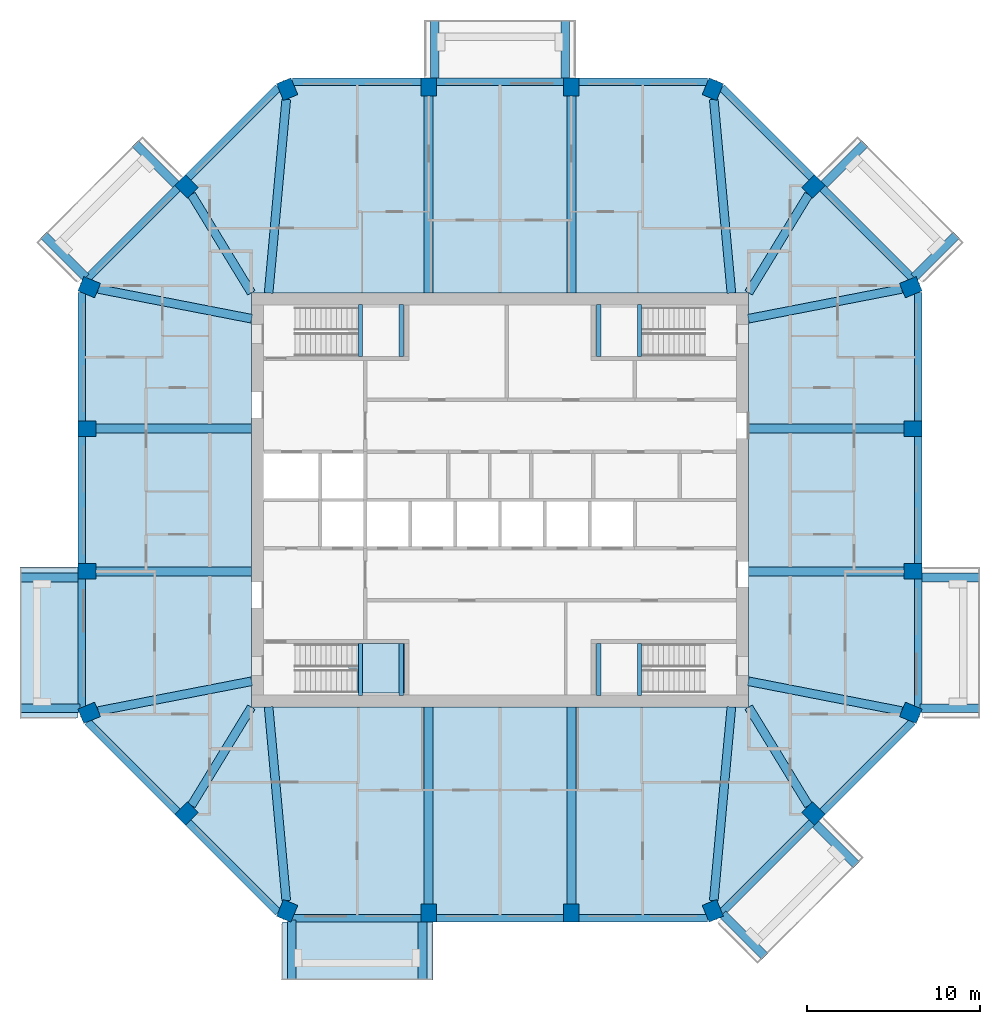
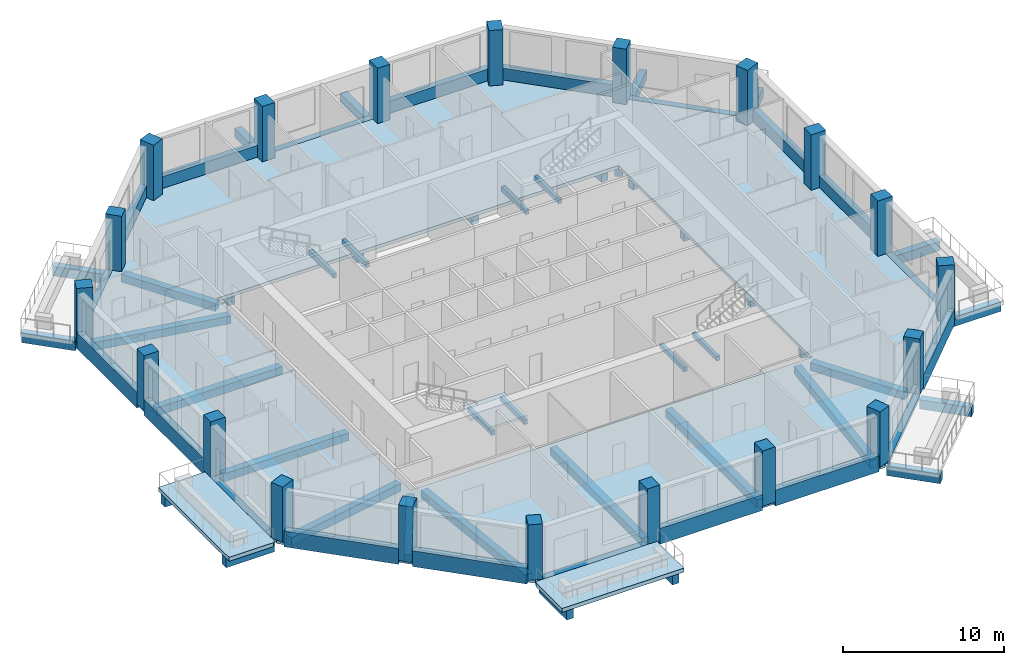
# One storey, part 1 of 10: 62 beams, 20 columns, 4 slabs, 1 element without a shape of its own.
"""IFC4 building model written with IfcOpenShell, lengths in metres."""

from ifc_helpers import new_model, si_unit, direction, frame, origin, origin_2d, place, context, subcontext, project, spatial, polyline, rectangle, outline, extrude, material, layer, layer_set, material_profile, profile_set, type_object, element, aggregate, save


model = new_model("IFC4")

# Units and contexts
model_context = context("Model", 3, precision=1e-05, world=origin(), true_north=direction((0.0, 1.0)))
body_context = subcontext(model_context, "Body", "Model", "MODEL_VIEW")
ifc_project = project(units=[si_unit("LENGTHUNIT", "METRE"), si_unit("AREAUNIT", "SQUARE_METRE"), si_unit("VOLUMEUNIT", "CUBIC_METRE"), si_unit("PLANEANGLEUNIT", "RADIAN"), si_unit("MASSUNIT", "GRAM", prefix="KILO")], contexts=[model_context])

# Site, building, storey
site_placement = place(None, origin())
site = spatial("IfcSite", under=ifc_project, at=site_placement, CompositionType="ELEMENT")
building_placement = place(site_placement, origin())
building = spatial("IfcBuilding", under=site, at=building_placement, Name="Msitu Wima Residences", CompositionType="ELEMENT")
storey_placement = place(building_placement, frame((0.0, 0.0, 191.699951171875)))
storey = spatial("IfcBuildingStorey", under=building, at=storey_placement, Name="L44", CompositionType="ELEMENT", Elevation=191.699951171875)

# Columns
ifc_material_1 = material(Name="Concrete C60/75", Category="concrete")
ifc_material_profile_1 = material_profile(ifc_material_1, rectangle(XDim=0.89990234375, YDim=1.050048828125, at=origin_2d()), Name="RC 900x1050")
ifc_profile_set_1 = profile_set([ifc_material_profile_1], Name="Concrete C60/75")
column_type = type_object("IfcColumnType", Name="Column RC 900x1050 Concrete C60/75", PredefinedType="COLUMN", material=ifc_profile_set_1)
for number, where, z_axis, x_axis, name in (
    (1, (23.792724609375, -12.325927734375, 0.0), (0.0, 0.0, 1.0), (0.382683496864, 0.923879505795, 0.0), "Column L44 C-E0"),
    (2, (23.925048828125, -4.13720703125, 0.0), (0.0, 0.0, 1.0), (0.0, 1.0, 0.0), "Column L44 C-E1"),
    (3, (23.925048828125, 4.13720703125, 0.0), (0.0, 0.0, 1.0), (0.0, 1.0, 0.0), "Column L44 C-E2"),
    (4, (23.792724609375, 12.325927734375, 0.0), (0.0, 0.0, 1.0), (-0.382683496864, 0.923879505795, 0.0), "Column L44 C-NE0"),
    (5, (18.15283203125, 18.15283203125, 0.0), (0.0, 0.0, 1.0), (-0.707106781187, 0.707106781187, 0.0), "Column L44 C-NE1"),
    (6, (12.325927734375, 23.792724609375, 0.0), (0.0, 0.0, 1.0), (-0.923879505795, 0.382683496864, 0.0), "Column L44 C-N0"),
    (7, (4.13720703125, 23.925048828125, 0.0), (0.0, 0.0, 1.0), (-1.0, 0.0, 0.0), "Column L44 C-N1"),
    (8, (-4.13720703125, 23.925048828125, 0.0), (0.0, 0.0, 1.0), (-1.0, 0.0, 0.0), "Column L44 C-N2"),
    (9, (-12.325927734375, 23.792724609375, 0.0), (0.0, 0.0, 1.0), (-0.923879505795, -0.382683496864, 0.0), "Column L44 C-NW0"),
    (10, (-18.15283203125, 18.15283203125, 0.0), (0.0, 0.0, 1.0), (-0.707106781187, -0.707106781187, 0.0), "Column L44 C-NW1"),
    (11, (-23.792724609375, 12.325927734375, 0.0), (0.0, 0.0, 1.0), (-0.382683496864, -0.923879505795, 0.0), "Column L44 C-W0"),
    (12, (-23.925048828125, 4.13720703125, 0.0), (0.0, 0.0, 1.0), (0.0, -1.0, 0.0), "Column L44 C-W1"),
    (13, (-23.925048828125, -4.13720703125, 0.0), (0.0, 0.0, 1.0), (0.0, -1.0, 0.0), "Column L44 C-W2"),
    (14, (-23.792724609375, -12.325927734375, 0.0), (0.0, 0.0, 1.0), (0.382683496864, -0.923879505795, 0.0), "Column L44 C-SW0"),
    (15, (-18.15283203125, -18.15283203125, 0.0), (0.0, 0.0, 1.0), (0.707106781187, -0.707106781187, 0.0), "Column L44 C-SW1"),
    (16, (-12.325927734375, -23.792724609375, 0.0), (0.0, 0.0, 1.0), (0.923879505795, -0.382683496864, 0.0), "Column L44 C-S0"),
    (17, (-4.13720703125, -23.925048828125, 0.0), (0.0, 0.0, 1.0), (1.0, 0.0, 0.0), "Column L44 C-S1"),
    (18, (4.13720703125, -23.925048828125, 0.0), (0.0, 0.0, 1.0), (1.0, 0.0, 0.0), "Column L44 C-S2"),
    (19, (12.325927734375, -23.792724609375, 0.0), (0.0, 0.0, 1.0), (0.923879505795, 0.382683496864, 0.0), "Column L44 C-SE0"),
    (20, (18.15283203125, -18.15283203125, 0.0), (0.0, 0.0, 1.0), (0.707106781187, 0.707106781187, 0.0), "Column L44 C-SE1"),
):
    element("IfcColumn", number, at=place(storey_placement, frame(where, z_axis=z_axis, x_axis=x_axis)), inside=storey, type_object=column_type, Name=name, PredefinedType="COLUMN", context=body_context, shape_type="SweptSolid", body=[
        extrude(rectangle(XDim=0.89990234375, YDim=1.050048828125, at=origin_2d()), origin(), (0.0, 0.0, 1.0), 4.199951171875),
    ])

# Beams
ifc_material_2 = material(Name="Concrete C50/60", Category="concrete")
ifc_material_profile_2 = material_profile(ifc_material_2, rectangle(XDim=0.5, YDim=0.60009765625, at=origin_2d()), Name="RC 500x600")
ifc_profile_set_2 = profile_set([ifc_material_profile_2], Name="Concrete C50/60")
beam_type_1 = type_object("IfcBeamType", Name="Beam RC 500x600 Concrete C50/60", PredefinedType="BEAM", material=ifc_profile_set_2)
beam_1_placement = place(storey_placement, frame((23.266845703125, -12.2236328125, -0.550048828125), z_axis=(-0.981627328559, 0.190808248841, 0.0), x_axis=(-0.190808248841, -0.981627328559, 0.0)))
element("IfcBeam", 21, at=beam_1_placement, inside=storey, type_object=beam_type_1, Name="Beam L44 C-E0", PredefinedType="BEAM", context=body_context, shape_type="SweptSolid", body=[
    extrude(rectangle(XDim=0.5, YDim=0.60009765625, at=origin_2d()), origin(), (0.0, 0.0, 1.0), 9.044921875),
])
for number, where, z_axis, x_axis, name in (
    (22, (23.39990234375, -4.13720703125, -0.550048828125), (-1.0, 0.0, 0.0), (0.0, -1.0, 0.0), "Beam L44 C-E1"),
    (23, (23.39990234375, 4.13720703125, -0.550048828125), (-1.0, 0.0, 0.0), (0.0, -1.0, 0.0), "Beam L44 C-E2"),
):
    element("IfcBeam", number, at=place(storey_placement, frame(where, z_axis=z_axis, x_axis=x_axis)), inside=storey, type_object=beam_type_1, Name=name, PredefinedType="BEAM", context=body_context, shape_type="SweptSolid", body=[
        extrude(rectangle(XDim=0.5, YDim=0.60009765625, at=origin_2d()), origin(), (0.0, 0.0, 1.0), 9.0),
    ])
beam_2_placement = place(storey_placement, frame((23.266845703125, 12.2236328125, -0.550048828125), z_axis=(-0.981627328559, -0.190808248841, 0.0), x_axis=(0.190808248841, -0.981627328559, 0.0)))
element("IfcBeam", 24, at=beam_2_placement, inside=storey, type_object=beam_type_1, Name="Beam L44 C-NE0", PredefinedType="BEAM", context=body_context, shape_type="SweptSolid", body=[
    extrude(rectangle(XDim=0.5, YDim=0.60009765625, at=origin_2d()), origin(), (0.0, 0.0, 1.0), 9.044921875),
])
beam_3_placement = place(storey_placement, frame((17.87158203125, 17.691650390625, -0.550048828125), z_axis=(-0.520734381113, -0.853718750132, 0.0), x_axis=(0.853718750132, -0.520734381113, 0.0)))
element("IfcBeam", 25, at=beam_3_placement, inside=storey, type_object=beam_type_1, Name="Beam L44 C-NE1", PredefinedType="BEAM", context=body_context, shape_type="SweptSolid", body=[
    extrude(rectangle(XDim=0.5, YDim=0.60009765625, at=origin_2d()), origin(), (0.0, 0.0, 1.0), 6.6669921875),
])
beam_4_placement = place(storey_placement, frame((12.379638671875, 23.2021484375, -0.550048828125), z_axis=(0.090713636077, -0.995877018627, 0.0), x_axis=(0.995877018627, 0.090713636077, 0.0)))
element("IfcBeam", 26, at=beam_4_placement, inside=storey, type_object=beam_type_1, Name="Beam L44 C-N0", PredefinedType="BEAM", context=body_context, shape_type="SweptSolid", body=[
    extrude(rectangle(XDim=0.5, YDim=0.60009765625, at=origin_2d()), origin(), (0.0, 0.0, 1.0), 11.260498046875),
])
for number, where, z_axis, x_axis, name in (
    (27, (4.13720703125, 23.39990234375, -0.550048828125), (0.0, -1.0, 0.0), (1.0, 0.0, 0.0), "Beam L44 C-N1"),
    (28, (-4.13720703125, 23.39990234375, -0.550048828125), (0.0, -1.0, 0.0), (1.0, 0.0, 0.0), "Beam L44 C-N2"),
):
    element("IfcBeam", number, at=place(storey_placement, frame(where, z_axis=z_axis, x_axis=x_axis)), inside=storey, type_object=beam_type_1, Name=name, PredefinedType="BEAM", context=body_context, shape_type="SweptSolid", body=[
        extrude(rectangle(XDim=0.5, YDim=0.60009765625, at=origin_2d()), origin(), (0.0, 0.0, 1.0), 11.39990234375),
    ])
beam_5_placement = place(storey_placement, frame((-12.379638671875, 23.2021484375, -0.550048828125), z_axis=(-0.090713636077, -0.995877018627, 0.0), x_axis=(0.995877018627, -0.090713636077, 0.0)))
element("IfcBeam", 29, at=beam_5_placement, inside=storey, type_object=beam_type_1, Name="Beam L44 C-NW0", PredefinedType="BEAM", context=body_context, shape_type="SweptSolid", body=[
    extrude(rectangle(XDim=0.5, YDim=0.60009765625, at=origin_2d()), origin(), (0.0, 0.0, 1.0), 11.260498046875),
])
beam_6_placement = place(storey_placement, frame((-17.87158203125, 17.691650390625, -0.550048828125), z_axis=(0.520734381113, -0.853718750132, 0.0), x_axis=(0.853718750132, 0.520734381113, 0.0)))
element("IfcBeam", 30, at=beam_6_placement, inside=storey, type_object=beam_type_1, Name="Beam L44 C-NW1", PredefinedType="BEAM", context=body_context, shape_type="SweptSolid", body=[
    extrude(rectangle(XDim=0.5, YDim=0.60009765625, at=origin_2d()), origin(), (0.0, 0.0, 1.0), 6.6669921875),
])
beam_7_placement = place(storey_placement, frame((-23.266845703125, 12.2236328125, -0.550048828125), z_axis=(0.981627328559, -0.190808248841, 0.0), x_axis=(0.190808248841, 0.981627328559, 0.0)))
element("IfcBeam", 31, at=beam_7_placement, inside=storey, type_object=beam_type_1, Name="Beam L44 C-W0", PredefinedType="BEAM", context=body_context, shape_type="SweptSolid", body=[
    extrude(rectangle(XDim=0.5, YDim=0.60009765625, at=origin_2d()), origin(), (0.0, 0.0, 1.0), 9.044921875),
])
for number, where, z_axis, x_axis, name in (
    (32, (-23.39990234375, 4.13720703125, -0.550048828125), (1.0, 0.0, 0.0), (0.0, 1.0, 0.0), "Beam L44 C-W1"),
    (33, (-23.39990234375, -4.13720703125, -0.550048828125), (1.0, 0.0, 0.0), (0.0, 1.0, 0.0), "Beam L44 C-W2"),
):
    element("IfcBeam", number, at=place(storey_placement, frame(where, z_axis=z_axis, x_axis=x_axis)), inside=storey, type_object=beam_type_1, Name=name, PredefinedType="BEAM", context=body_context, shape_type="SweptSolid", body=[
        extrude(rectangle(XDim=0.5, YDim=0.60009765625, at=origin_2d()), origin(), (0.0, 0.0, 1.0), 9.0),
    ])
beam_8_placement = place(storey_placement, frame((-23.266845703125, -12.2236328125, -0.550048828125), z_axis=(0.981627328559, 0.190808248841, 0.0), x_axis=(-0.190808248841, 0.981627328559, 0.0)))
element("IfcBeam", 34, at=beam_8_placement, inside=storey, type_object=beam_type_1, Name="Beam L44 C-SW0", PredefinedType="BEAM", context=body_context, shape_type="SweptSolid", body=[
    extrude(rectangle(XDim=0.5, YDim=0.60009765625, at=origin_2d()), origin(), (0.0, 0.0, 1.0), 9.044921875),
])
beam_9_placement = place(storey_placement, frame((-17.87158203125, -17.691650390625, -0.550048828125), z_axis=(0.520734381113, 0.853718750132, 0.0), x_axis=(-0.853718750132, 0.520734381113, 0.0)))
element("IfcBeam", 35, at=beam_9_placement, inside=storey, type_object=beam_type_1, Name="Beam L44 C-SW1", PredefinedType="BEAM", context=body_context, shape_type="SweptSolid", body=[
    extrude(rectangle(XDim=0.5, YDim=0.60009765625, at=origin_2d()), origin(), (0.0, 0.0, 1.0), 6.6669921875),
])
beam_10_placement = place(storey_placement, frame((-12.379638671875, -23.2021484375, -0.550048828125), z_axis=(-0.090713636077, 0.995877018627, 0.0), x_axis=(-0.995877018627, -0.090713636077, 0.0)))
element("IfcBeam", 36, at=beam_10_placement, inside=storey, type_object=beam_type_1, Name="Beam L44 C-S0", PredefinedType="BEAM", context=body_context, shape_type="SweptSolid", body=[
    extrude(rectangle(XDim=0.5, YDim=0.60009765625, at=origin_2d()), origin(), (0.0, 0.0, 1.0), 11.260498046875),
])
for number, where, z_axis, x_axis, name in (
    (37, (-4.13720703125, -23.39990234375, -0.550048828125), (0.0, 1.0, 0.0), (-1.0, 0.0, 0.0), "Beam L44 C-S1"),
    (38, (4.13720703125, -23.39990234375, -0.550048828125), (0.0, 1.0, 0.0), (-1.0, 0.0, 0.0), "Beam L44 C-S2"),
):
    element("IfcBeam", number, at=place(storey_placement, frame(where, z_axis=z_axis, x_axis=x_axis)), inside=storey, type_object=beam_type_1, Name=name, PredefinedType="BEAM", context=body_context, shape_type="SweptSolid", body=[
        extrude(rectangle(XDim=0.5, YDim=0.60009765625, at=origin_2d()), origin(), (0.0, 0.0, 1.0), 11.39990234375),
    ])
beam_11_placement = place(storey_placement, frame((12.379638671875, -23.2021484375, -0.550048828125), z_axis=(0.090713636077, 0.995877018627, 0.0), x_axis=(-0.995877018627, 0.090713636077, 0.0)))
element("IfcBeam", 39, at=beam_11_placement, inside=storey, type_object=beam_type_1, Name="Beam L44 C-SE0", PredefinedType="BEAM", context=body_context, shape_type="SweptSolid", body=[
    extrude(rectangle(XDim=0.5, YDim=0.60009765625, at=origin_2d()), origin(), (0.0, 0.0, 1.0), 11.260498046875),
])
beam_12_placement = place(storey_placement, frame((17.87158203125, -17.691650390625, -0.550048828125), z_axis=(-0.520734381113, 0.853718750132, 0.0), x_axis=(-0.853718750132, -0.520734381113, 0.0)))
element("IfcBeam", 40, at=beam_12_placement, inside=storey, type_object=beam_type_1, Name="Beam L44 C-SE1", PredefinedType="BEAM", context=body_context, shape_type="SweptSolid", body=[
    extrude(rectangle(XDim=0.5, YDim=0.60009765625, at=origin_2d()), origin(), (0.0, 0.0, 1.0), 6.6669921875),
])
ifc_material_profile_3 = material_profile(ifc_material_2, rectangle(XDim=0.5, YDim=0.699951171875, at=origin_2d()), Name="RC 500x700")
ifc_profile_set_3 = profile_set([ifc_material_profile_3], Name="Concrete C50/60")
beam_type_2 = type_object("IfcBeamType", Name="Cantilever beam RC 500x700 Concrete C50/60", PredefinedType="BEAM", material=ifc_profile_set_3)
beam_13_placement = place(storey_placement, frame((24.330810546875, -12.061767578125, -0.64990234375), z_axis=(1.0, 0.0, 0.0), x_axis=(0.0, 1.0, 0.0)))
element("IfcBeam", 41, at=beam_13_placement, inside=storey, type_object=beam_type_2, Name="Cantilever beam L44 BA-E0 A", PredefinedType="BEAM", context=body_context, shape_type="SweptSolid", body=[
    extrude(rectangle(XDim=0.5, YDim=0.699951171875, at=origin_2d()), origin(), (0.0, 0.0, 1.0), 3.46923828125),
])
beam_14_placement = place(storey_placement, frame((24.449951171875, -4.4873046875, -0.64990234375), z_axis=(1.0, 0.0, 0.0), x_axis=(0.0, 1.0, 0.0)))
element("IfcBeam", 42, at=beam_14_placement, inside=storey, type_object=beam_type_2, Name="Cantilever beam L44 BA-E0 B", PredefinedType="BEAM", context=body_context, shape_type="SweptSolid", body=[
    extrude(rectangle(XDim=0.5, YDim=0.699951171875, at=origin_2d()), origin(), (0.0, 0.0, 1.0), 3.35009765625),
])
beam_15_placement = place(storey_placement, frame((23.986572265625, 12.893310546875, -0.64990234375), z_axis=(0.707106781187, 0.707106781187, 0.0), x_axis=(-0.707106781187, 0.707106781187, 0.0)))
element("IfcBeam", 43, at=beam_15_placement, inside=storey, type_object=beam_type_2, Name="Cantilever beam L44 BA-NE0 A", PredefinedType="BEAM", context=body_context, shape_type="SweptSolid", body=[
    extrude(rectangle(XDim=0.5, YDim=0.699951171875, at=origin_2d()), origin(), (0.0, 0.0, 1.0), 3.468994140625),
])
for number, where, z_axis, x_axis, name in (
    (44, (18.771484375, 18.276611328125, -0.64990234375), (0.707106781187, 0.707106781187, 0.0), (-0.707106781187, 0.707106781187, 0.0), "Cantilever beam L44 BA-NE0 B"),
    (45, (3.787353515625, 24.449951171875, -0.64990234375), (0.0, 1.0, 0.0), (-1.0, 0.0, 0.0), "Cantilever beam L44 BA-N1 A"),
    (46, (-3.787353515625, 24.449951171875, -0.64990234375), (0.0, 1.0, 0.0), (-1.0, 0.0, 0.0), "Cantilever beam L44 BA-N1 B"),
    (47, (-18.771484375, 18.276611328125, -0.64990234375), (-0.707106781187, 0.707106781187, 0.0), (-0.707106781187, -0.707106781187, 0.0), "Cantilever beam L44 BA-NW1 A"),
):
    element("IfcBeam", number, at=place(storey_placement, frame(where, z_axis=z_axis, x_axis=x_axis)), inside=storey, type_object=beam_type_2, Name=name, PredefinedType="BEAM", context=body_context, shape_type="SweptSolid", body=[
        extrude(rectangle(XDim=0.5, YDim=0.699951171875, at=origin_2d()), origin(), (0.0, 0.0, 1.0), 3.35009765625),
    ])
beam_16_placement = place(storey_placement, frame((-23.986572265625, 12.893310546875, -0.64990234375), z_axis=(-0.707106781187, 0.707106781187, 0.0), x_axis=(-0.707106781187, -0.707106781187, 0.0)))
element("IfcBeam", 48, at=beam_16_placement, inside=storey, type_object=beam_type_2, Name="Cantilever beam L44 BA-NW1 B", PredefinedType="BEAM", context=body_context, shape_type="SweptSolid", body=[
    extrude(rectangle(XDim=0.5, YDim=0.699951171875, at=origin_2d()), origin(), (0.0, 0.0, 1.0), 3.468994140625),
])
beam_17_placement = place(storey_placement, frame((-24.449951171875, -4.4873046875, -0.64990234375), z_axis=(-1.0, 0.0, 0.0), x_axis=(0.0, -1.0, 0.0)))
element("IfcBeam", 49, at=beam_17_placement, inside=storey, type_object=beam_type_2, Name="Cantilever beam L44 BA-W2 A", PredefinedType="BEAM", context=body_context, shape_type="SweptSolid", body=[
    extrude(rectangle(XDim=0.5, YDim=0.699951171875, at=origin_2d()), origin(), (0.0, 0.0, 1.0), 3.35009765625),
])
for number, where, z_axis, x_axis, name in (
    (50, (-24.330810546875, -12.061767578125, -0.64990234375), (-1.0, 0.0, 0.0), (0.0, -1.0, 0.0), "Cantilever beam L44 BA-W2 B"),
    (51, (-12.061767578125, -24.330810546875, -0.64990234375), (0.0, -1.0, 0.0), (1.0, 0.0, 0.0), "Cantilever beam L44 BA-S0 A"),
):
    element("IfcBeam", number, at=place(storey_placement, frame(where, z_axis=z_axis, x_axis=x_axis)), inside=storey, type_object=beam_type_2, Name=name, PredefinedType="BEAM", context=body_context, shape_type="SweptSolid", body=[
        extrude(rectangle(XDim=0.5, YDim=0.699951171875, at=origin_2d()), origin(), (0.0, 0.0, 1.0), 3.46923828125),
    ])
beam_18_placement = place(storey_placement, frame((-4.4873046875, -24.449951171875, -0.64990234375), z_axis=(0.0, -1.0, 0.0), x_axis=(1.0, 0.0, 0.0)))
element("IfcBeam", 52, at=beam_18_placement, inside=storey, type_object=beam_type_2, Name="Cantilever beam L44 BA-S0 B", PredefinedType="BEAM", context=body_context, shape_type="SweptSolid", body=[
    extrude(rectangle(XDim=0.5, YDim=0.699951171875, at=origin_2d()), origin(), (0.0, 0.0, 1.0), 3.35009765625),
])
beam_19_placement = place(storey_placement, frame((12.893310546875, -23.986572265625, -0.64990234375), z_axis=(0.707106781187, -0.707106781187, 0.0), x_axis=(0.707106781187, 0.707106781187, 0.0)))
element("IfcBeam", 53, at=beam_19_placement, inside=storey, type_object=beam_type_2, Name="Cantilever beam L44 BA-SE0 A", PredefinedType="BEAM", context=body_context, shape_type="SweptSolid", body=[
    extrude(rectangle(XDim=0.5, YDim=0.699951171875, at=origin_2d()), origin(), (0.0, 0.0, 1.0), 3.468994140625),
])
beam_20_placement = place(storey_placement, frame((18.276611328125, -18.771484375, -0.64990234375), z_axis=(0.707106781187, -0.707106781187, 0.0), x_axis=(0.707106781187, 0.707106781187, 0.0)))
element("IfcBeam", 54, at=beam_20_placement, inside=storey, type_object=beam_type_2, Name="Cantilever beam L44 BA-SE0 B", PredefinedType="BEAM", context=body_context, shape_type="SweptSolid", body=[
    extrude(rectangle(XDim=0.5, YDim=0.699951171875, at=origin_2d()), origin(), (0.0, 0.0, 1.0), 3.35009765625),
])
ifc_material_profile_4 = material_profile(ifc_material_2, rectangle(XDim=0.449951171875, YDim=0.300048828125, at=origin_2d()), Name="RC 450x300")
ifc_profile_set_4 = profile_set([ifc_material_profile_4], Name="Concrete C50/60")
beam_type_3 = type_object("IfcBeamType", Name="Edge beam RC 450x300 Concrete C50/60", PredefinedType="SPANDREL", material=ifc_profile_set_4)
beam_21_placement = place(storey_placement, frame((24.22509765625, -12.02978515625, -0.14990234375), z_axis=(0.0, 1.0, 0.0), x_axis=(-1.0, 0.0, 0.0)))
element("IfcBeam", 55, at=beam_21_placement, inside=storey, type_object=beam_type_3, Name="Spandrel L44 E0", PredefinedType="SPANDREL", context=body_context, shape_type="SweptSolid", body=[
    extrude(rectangle(XDim=0.449951171875, YDim=0.300048828125, at=origin_2d()), origin(), (0.0, 0.0, 1.0), 7.442626953125),
])
beam_22_placement = place(storey_placement, frame((23.88916015625, 12.8408203125, -0.14990234375), z_axis=(-0.707106781187, 0.707106781187, 0.0), x_axis=(-0.707106781187, -0.707106781187, 0.0)))
element("IfcBeam", 56, at=beam_22_placement, inside=storey, type_object=beam_type_3, Name="Spandrel L44 NE0", PredefinedType="SPANDREL", context=body_context, shape_type="SweptSolid", body=[
    extrude(rectangle(XDim=0.449951171875, YDim=0.300048828125, at=origin_2d()), origin(), (0.0, 0.0, 1.0), 7.362548828125),
])
beam_23_placement = place(storey_placement, frame((3.687255859375, 24.22509765625, -0.14990234375), z_axis=(-1.0, 0.0, 0.0), x_axis=(0.0, -1.0, 0.0)))
element("IfcBeam", 57, at=beam_23_placement, inside=storey, type_object=beam_type_3, Name="Spandrel L44 N1", PredefinedType="SPANDREL", context=body_context, shape_type="SweptSolid", body=[
    extrude(rectangle(XDim=0.449951171875, YDim=0.300048828125, at=origin_2d()), origin(), (0.0, 0.0, 1.0), 7.37451171875),
])
beam_24_placement = place(storey_placement, frame((-18.68310546875, 18.046875, -0.14990234375), z_axis=(-0.707106781187, -0.707106781187, 0.0), x_axis=(0.707106781187, -0.707106781187, 0.0)))
element("IfcBeam", 58, at=beam_24_placement, inside=storey, type_object=beam_type_3, Name="Spandrel L44 NW1", PredefinedType="SPANDREL", context=body_context, shape_type="SweptSolid", body=[
    extrude(rectangle(XDim=0.449951171875, YDim=0.300048828125, at=origin_2d()), origin(), (0.0, 0.0, 1.0), 7.362548828125),
])
for number, where, z_axis, x_axis, name in (
    (59, (-24.22509765625, -4.587158203125, -0.14990234375), (0.0, -1.0, 0.0), (1.0, 0.0, 0.0), "Spandrel L44 W2"),
    (60, (-12.02978515625, -24.22509765625, -0.14990234375), (1.0, 0.0, 0.0), (0.0, 1.0, 0.0), "Spandrel L44 S0"),
):
    element("IfcBeam", number, at=place(storey_placement, frame(where, z_axis=z_axis, x_axis=x_axis)), inside=storey, type_object=beam_type_3, Name=name, PredefinedType="SPANDREL", context=body_context, shape_type="SweptSolid", body=[
        extrude(rectangle(XDim=0.449951171875, YDim=0.300048828125, at=origin_2d()), origin(), (0.0, 0.0, 1.0), 7.442626953125),
    ])
beam_25_placement = place(storey_placement, frame((12.8408203125, -23.88916015625, -0.14990234375), z_axis=(0.707106781187, 0.707106781187, 0.0), x_axis=(-0.707106781187, 0.707106781187, 0.0)))
element("IfcBeam", 61, at=beam_25_placement, inside=storey, type_object=beam_type_3, Name="Spandrel L44 SE0", PredefinedType="SPANDREL", context=body_context, shape_type="SweptSolid", body=[
    extrude(rectangle(XDim=0.449951171875, YDim=0.300048828125, at=origin_2d()), origin(), (0.0, 0.0, 1.0), 7.362548828125),
])
ifc_material_3 = material(Name="Concrete C40/50", Category="concrete")
ifc_material_profile_5 = material_profile(ifc_material_3, rectangle(XDim=0.25, YDim=0.35009765625, at=origin_2d()), Name="RC 250x350")
ifc_profile_set_5 = profile_set([ifc_material_profile_5], Name="Concrete C40/50")
beam_type_4 = type_object("IfcBeamType", Name="Landing beam RC 250x350", PredefinedType="BEAM", material=ifc_profile_set_5)
for number, where, z_axis, x_axis, name in (
    (62, (-8.074951171875, 8.324951171875, 1.72509765625), (0.0, 1.0, 0.0), (-1.0, 0.0, 0.0), "Stair 1 landing beam"),
    (63, (-5.72509765625, 8.324951171875, 1.72509765625), (0.0, 1.0, 0.0), (-1.0, 0.0, 0.0), "Stair 1 landing beam"),
    (64, (-8.074951171875, -11.324951171875, 1.72509765625), (0.0, 1.0, 0.0), (-1.0, 0.0, 0.0), "Stair 2 landing beam"),
    (65, (-5.72509765625, -11.324951171875, 1.72509765625), (0.0, 1.0, 0.0), (-1.0, 0.0, 0.0), "Stair 2 landing beam"),
    (66, (8.074951171875, 8.324951171875, 1.72509765625), (0.0, 1.0, 0.0), (-1.0, 0.0, 0.0), "Stair 3 landing beam"),
    (67, (5.72509765625, 8.324951171875, 1.72509765625), (0.0, 1.0, 0.0), (-1.0, 0.0, 0.0), "Stair 3 landing beam"),
    (68, (8.074951171875, -11.324951171875, 1.72509765625), (0.0, 1.0, 0.0), (-1.0, 0.0, 0.0), "Stair 4 landing beam"),
    (69, (5.72509765625, -11.324951171875, 1.72509765625), (0.0, 1.0, 0.0), (-1.0, 0.0, 0.0), "Stair 4 landing beam"),
):
    element("IfcBeam", number, at=place(storey_placement, frame(where, z_axis=z_axis, x_axis=x_axis)), inside=storey, type_object=beam_type_4, Name=name, PredefinedType="BEAM", context=body_context, shape_type="SweptSolid", body=[
        extrude(rectangle(XDim=0.25, YDim=0.35009765625, at=origin_2d()), origin(), (0.0, 0.0, 1.0), 3.0),
    ])
ifc_material_profile_6 = material_profile(ifc_material_2, rectangle(XDim=0.449951171875, YDim=1.199951171875, at=origin_2d()), Name="RC 450x1200")
ifc_profile_set_6 = profile_set([ifc_material_profile_6], Name="Concrete C50/60")
beam_type_5 = type_object("IfcBeamType", Name="Spandrel RC 450x1200 Concrete C50/60", PredefinedType="SPANDREL", material=ifc_profile_set_6)
beam_26_placement = place(storey_placement, frame((24.22509765625, -3.687255859375, 0.300048828125), z_axis=(0.0, 1.0, 0.0), x_axis=(-1.0, 0.0, 0.0)))
element("IfcBeam", 70, at=beam_26_placement, inside=storey, type_object=beam_type_5, Name="Spandrel L44 E1", PredefinedType="SPANDREL", context=body_context, shape_type="SweptSolid", body=[
    extrude(rectangle(XDim=0.449951171875, YDim=1.199951171875, at=origin_2d()), origin(), (0.0, 0.0, 1.0), 7.37451171875),
])
beam_27_placement = place(storey_placement, frame((24.22509765625, 4.587158203125, 0.300048828125), z_axis=(0.0, 1.0, 0.0), x_axis=(-1.0, 0.0, 0.0)))
element("IfcBeam", 71, at=beam_27_placement, inside=storey, type_object=beam_type_5, Name="Spandrel L44 E2", PredefinedType="SPANDREL", context=body_context, shape_type="SweptSolid", body=[
    extrude(rectangle(XDim=0.449951171875, YDim=1.199951171875, at=origin_2d()), origin(), (0.0, 0.0, 1.0), 7.442626953125),
])
beam_28_placement = place(storey_placement, frame((18.046875, 18.68310546875, 0.300048828125), z_axis=(-0.707106781187, 0.707106781187, 0.0), x_axis=(-0.707106781187, -0.707106781187, 0.0)))
element("IfcBeam", 72, at=beam_28_placement, inside=storey, type_object=beam_type_5, Name="Spandrel L44 NE1", PredefinedType="SPANDREL", context=body_context, shape_type="SweptSolid", body=[
    extrude(rectangle(XDim=0.449951171875, YDim=1.199951171875, at=origin_2d()), origin(), (0.0, 0.0, 1.0), 7.362548828125),
])
for number, where, z_axis, x_axis, name in (
    (73, (12.02978515625, 24.22509765625, 0.300048828125), (-1.0, 0.0, 0.0), (0.0, -1.0, 0.0), "Spandrel L44 N0"),
    (74, (-4.587158203125, 24.22509765625, 0.300048828125), (-1.0, 0.0, 0.0), (0.0, -1.0, 0.0), "Spandrel L44 N2"),
):
    element("IfcBeam", number, at=place(storey_placement, frame(where, z_axis=z_axis, x_axis=x_axis)), inside=storey, type_object=beam_type_5, Name=name, PredefinedType="SPANDREL", context=body_context, shape_type="SweptSolid", body=[
        extrude(rectangle(XDim=0.449951171875, YDim=1.199951171875, at=origin_2d()), origin(), (0.0, 0.0, 1.0), 7.442626953125),
    ])
beam_29_placement = place(storey_placement, frame((-12.8408203125, 23.88916015625, 0.300048828125), z_axis=(-0.707106781187, -0.707106781187, 0.0), x_axis=(0.707106781187, -0.707106781187, 0.0)))
element("IfcBeam", 75, at=beam_29_placement, inside=storey, type_object=beam_type_5, Name="Spandrel L44 NW0", PredefinedType="SPANDREL", context=body_context, shape_type="SweptSolid", body=[
    extrude(rectangle(XDim=0.449951171875, YDim=1.199951171875, at=origin_2d()), origin(), (0.0, 0.0, 1.0), 7.362548828125),
])
beam_30_placement = place(storey_placement, frame((-24.22509765625, 12.02978515625, 0.300048828125), z_axis=(0.0, -1.0, 0.0), x_axis=(1.0, 0.0, 0.0)))
element("IfcBeam", 76, at=beam_30_placement, inside=storey, type_object=beam_type_5, Name="Spandrel L44 W0", PredefinedType="SPANDREL", context=body_context, shape_type="SweptSolid", body=[
    extrude(rectangle(XDim=0.449951171875, YDim=1.199951171875, at=origin_2d()), origin(), (0.0, 0.0, 1.0), 7.442626953125),
])
beam_31_placement = place(storey_placement, frame((-24.22509765625, 3.687255859375, 0.300048828125), z_axis=(0.0, -1.0, 0.0), x_axis=(1.0, 0.0, 0.0)))
element("IfcBeam", 77, at=beam_31_placement, inside=storey, type_object=beam_type_5, Name="Spandrel L44 W1", PredefinedType="SPANDREL", context=body_context, shape_type="SweptSolid", body=[
    extrude(rectangle(XDim=0.449951171875, YDim=1.199951171875, at=origin_2d()), origin(), (0.0, 0.0, 1.0), 7.37451171875),
])
for number, where, z_axis, x_axis, name in (
    (78, (-23.88916015625, -12.8408203125, 0.300048828125), (0.707106781187, -0.707106781187, 0.0), (0.707106781187, 0.707106781187, 0.0), "Spandrel L44 SW0"),
    (79, (-18.046875, -18.68310546875, 0.300048828125), (0.707106781187, -0.707106781187, 0.0), (0.707106781187, 0.707106781187, 0.0), "Spandrel L44 SW1"),
):
    element("IfcBeam", number, at=place(storey_placement, frame(where, z_axis=z_axis, x_axis=x_axis)), inside=storey, type_object=beam_type_5, Name=name, PredefinedType="SPANDREL", context=body_context, shape_type="SweptSolid", body=[
        extrude(rectangle(XDim=0.449951171875, YDim=1.199951171875, at=origin_2d()), origin(), (0.0, 0.0, 1.0), 7.362548828125),
    ])
beam_32_placement = place(storey_placement, frame((-3.687255859375, -24.22509765625, 0.300048828125), z_axis=(1.0, 0.0, 0.0), x_axis=(0.0, 1.0, 0.0)))
element("IfcBeam", 80, at=beam_32_placement, inside=storey, type_object=beam_type_5, Name="Spandrel L44 S1", PredefinedType="SPANDREL", context=body_context, shape_type="SweptSolid", body=[
    extrude(rectangle(XDim=0.449951171875, YDim=1.199951171875, at=origin_2d()), origin(), (0.0, 0.0, 1.0), 7.37451171875),
])
beam_33_placement = place(storey_placement, frame((4.587158203125, -24.22509765625, 0.300048828125), z_axis=(1.0, 0.0, 0.0), x_axis=(0.0, 1.0, 0.0)))
element("IfcBeam", 81, at=beam_33_placement, inside=storey, type_object=beam_type_5, Name="Spandrel L44 S2", PredefinedType="SPANDREL", context=body_context, shape_type="SweptSolid", body=[
    extrude(rectangle(XDim=0.449951171875, YDim=1.199951171875, at=origin_2d()), origin(), (0.0, 0.0, 1.0), 7.442626953125),
])
beam_34_placement = place(storey_placement, frame((18.68310546875, -18.046875, 0.300048828125), z_axis=(0.707106781187, 0.707106781187, 0.0), x_axis=(-0.707106781187, 0.707106781187, 0.0)))
element("IfcBeam", 82, at=beam_34_placement, inside=storey, type_object=beam_type_5, Name="Spandrel L44 SE1", PredefinedType="SPANDREL", context=body_context, shape_type="SweptSolid", body=[
    extrude(rectangle(XDim=0.449951171875, YDim=1.199951171875, at=origin_2d()), origin(), (0.0, 0.0, 1.0), 7.362548828125),
])

# Slabs
ifc_layer_1 = layer(ifc_material_3, 0.300048828125)
ifc_layer_set_1 = layer_set([ifc_layer_1], Name="Concrete C40/50")
slab_type_1 = type_object("IfcSlabType", Name="Balcony slab BS300", PredefinedType="FLOOR", material=ifc_layer_set_1)
slab_1_placement = place(storey_placement, frame((0.0, 0.0, -0.300048828125)))
element("IfcSlab", 83, at=slab_1_placement, inside=storey, type_object=slab_type_1, Name="Balcony W2 L44", PredefinedType="FLOOR", context=body_context, shape_type="SweptSolid", body=[
    extrude(outline(polyline([(-24.449951171875, -12.111083984375), (-24.449951171875, -12.111083984375), (-24.449951171875, -12.59814453125), (-24.603515625, -12.661865234375), (-27.800048828125, -12.661865234375), (-27.800048828125, -3.88720703125), (-24.449951171875, -3.88720703125), (-24.449951171875, -4.587158203125), (-24.449951171875, -4.587158203125), (-24.449951171875, -12.111083984375), (-24.449951171875, -12.111083984375)])), origin(), (0.0, 0.0, 1.0), 0.300048828125),
])
slab_2_placement = place(storey_placement, frame((0.0, 0.0, -0.300048828125)))
element("IfcSlab", 84, at=slab_2_placement, inside=storey, type_object=slab_type_1, Name="Balcony S0 L44", PredefinedType="FLOOR", context=body_context, shape_type="SweptSolid", body=[
    extrude(outline(polyline([(-12.111083984375, -24.449951171875), (-12.111083984375, -24.449951171875), (-4.587158203125, -24.449951171875), (-3.88720703125, -24.449951171875), (-3.88720703125, -27.800048828125), (-12.661865234375, -27.800048828125), (-12.661865234375, -24.603515625), (-12.59814453125, -24.449951171875), (-12.111083984375, -24.449951171875), (-12.111083984375, -24.449951171875)])), origin(), (0.0, 0.0, 1.0), 0.300048828125),
])
ifc_layer_2 = layer(ifc_material_3, 0.25)
ifc_layer_set_2 = layer_set([ifc_layer_2], Name="Concrete C40/50")
slab_type_2 = type_object("IfcSlabType", Name="PT flat slab 250 Concrete C40/50", PredefinedType="FLOOR", material=ifc_layer_set_2)
slab_3_placement = place(storey_placement, frame((0.0, 0.0, -0.25)))
element("IfcSlab", 85, at=slab_3_placement, inside=storey, type_object=slab_type_2, Name="Floor slab L44", PredefinedType="FLOOR", context=body_context, shape_type="SweptSolid", body=[
    extrude(outline(polyline([(24.300048828125, -12.5361328125), (12.5361328125, -24.300048828125), (-12.5361328125, -24.300048828125), (-24.300048828125, -12.5361328125), (-24.300048828125, 12.5361328125), (-12.5361328125, 24.300048828125), (12.5361328125, 24.300048828125), (24.300048828125, 12.5361328125), (24.300048828125, -12.5361328125)]), holes=[polyline([(-14.39990234375, -12.0), (14.39990234375, -12.0), (14.39990234375, 12.0), (-14.39990234375, 12.0), (-14.39990234375, -12.0)])]), origin(), (0.0, 0.0, 1.0), 0.25),
])

# Stair, slab
stair_type = type_object("IfcStairType", Name="Exit stair ES1615-135", PredefinedType="HALF_TURN_STAIR", material=ifc_material_3)
stair_placement = place(storey_placement, origin())
stair = element("IfcStair", 86, at=stair_placement, inside=storey, type_object=stair_type, Name="Exit stair 2", PredefinedType="HALF_TURN_STAIR")
ifc_layer_3 = layer(ifc_material_3, 0.199951171875)
ifc_layer_set_3 = layer_set([ifc_layer_3], Name="Concrete C40/50")
slab_type_3 = type_object("IfcSlabType", Name="Stair landing SL200", PredefinedType="LANDING", material=ifc_layer_set_3)
slab_4_placement = place(storey_placement, frame((0.0, 0.0, 1.900146484375)))
slab_4 = element("IfcSlab", 87, at=slab_4_placement, type_object=slab_type_3, Name="S2 landing 1", PredefinedType="LANDING", context=body_context, shape_type="SweptSolid", body=[
    extrude(outline(polyline([(-5.52490234375, -11.175048828125), (-8.275390625, -11.175048828125), (-8.275390625, -9.75), (-8.77490234375, -9.75), (-8.77490234375, -8.324951171875), (-5.52490234375, -8.324951171875), (-5.52490234375, -11.175048828125)])), origin(), (0.0, 0.0, 1.0), 0.199951171875),
])
aggregate(stair, [slab_4])

save(model, "model.ifc")
